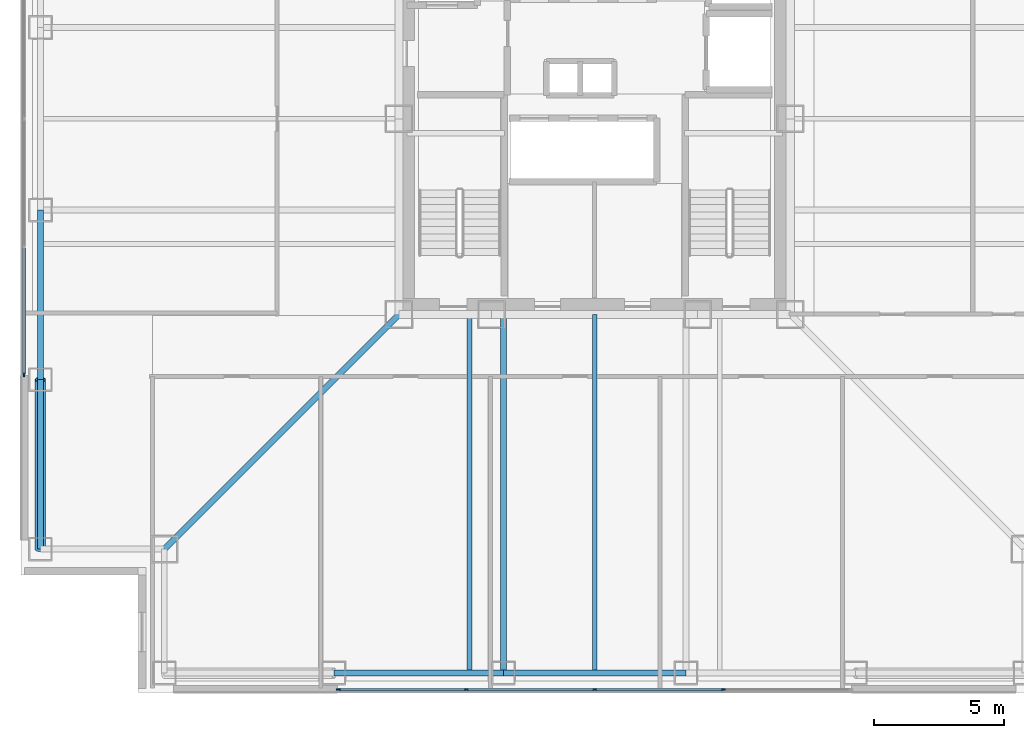
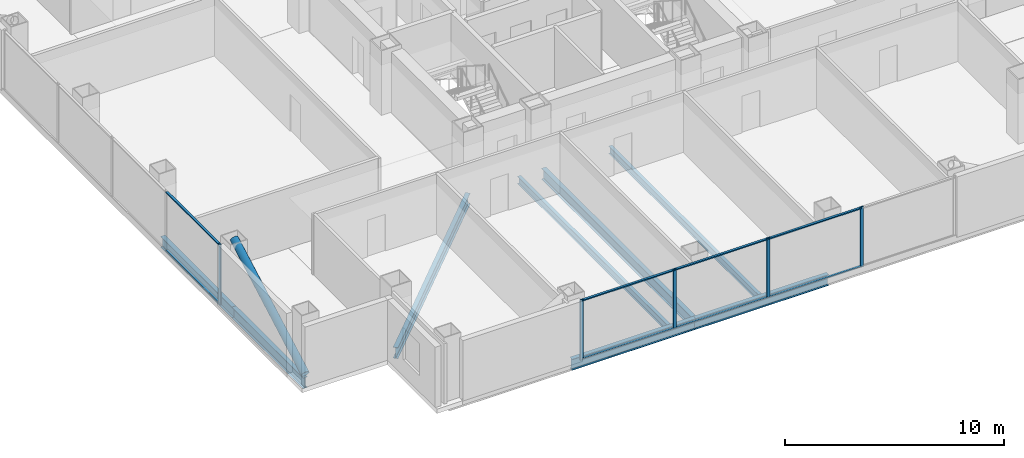
# One storey, part 2 of 13: 14 members, 8 beams, 2 elements without a shape of their own.
"""IFC4 building model written with IfcOpenShell, lengths in metres."""

from ifc_helpers import new_model, si_unit, direction, frame, origin, origin_2d, place, context, subcontext, project, spatial, rectangle, hollow_circle, i_section, extrude, material, layer, layer_set, material_profile, profile_set, type_object, element, aggregate, save


model = new_model("IFC4")

# Units and contexts
model_context = context("Model", 3, precision=1e-05, world=origin(), true_north=direction((0.0, 1.0)))
body_context = subcontext(model_context, "Body", "Model", "MODEL_VIEW")
ifc_project = project(units=[si_unit("LENGTHUNIT", "METRE"), si_unit("AREAUNIT", "SQUARE_METRE"), si_unit("VOLUMEUNIT", "CUBIC_METRE"), si_unit("PLANEANGLEUNIT", "RADIAN"), si_unit("MASSUNIT", "GRAM", prefix="KILO")], contexts=[model_context])

# Site, building, storey
site_placement = place(None, origin())
site = spatial("IfcSite", under=ifc_project, at=site_placement, CompositionType="ELEMENT")
building_placement = place(site_placement, origin())
building = spatial("IfcBuilding", under=site, at=building_placement, Name="Trevonay Congress Spire", CompositionType="ELEMENT")
storey_placement = place(building_placement, frame((0.0, 0.0, 112.0)))
storey = spatial("IfcBuildingStorey", under=building, at=storey_placement, Name="L28", CompositionType="ELEMENT", Elevation=112.0)

# Beams
ifc_material_1 = material(Name="Steel ASTM A572 Grade 50", Category="steel")
ifc_material_profile_1 = material_profile(ifc_material_1, i_section(OverallWidth=0.22998046875, OverallDepth=0.616943359375, WebThickness=0.01318359375, FlangeThickness=0.022216796875, FilletRadius=0.01611328125, at=origin_2d()), Name="W610x140")
ifc_profile_set_1 = profile_set([ifc_material_profile_1], Name="Steel ASTM A572 Grade 50")
beam_type_1 = type_object("IfcBeamType", Name="BM-GIRD-W610X140", PredefinedType="BEAM", material=ifc_profile_set_1)
beam_1_placement = place(storey_placement, frame((-7.5, -7.5, -0.548583984375), z_axis=(-0.707106781187, -0.707106781187, 0.0), x_axis=(0.707106781187, -0.707106781187, 0.0)))
element("IfcBeam", 1, at=beam_1_placement, inside=storey, type_object=beam_type_1, Name="L28 structural beam BM-L28-CDSW", PredefinedType="BEAM", context=body_context, shape_type="SweptSolid", body=[
    extrude(i_section(OverallWidth=0.22998046875, OverallDepth=0.616943359375, WebThickness=0.01318359375, FlangeThickness=0.022216796875, FilletRadius=0.01611328125, at=origin_2d()), origin(), (0.0, 0.0, 1.0), 12.72802734375),
])
beam_2_placement = place(storey_placement, frame((-3.5, -7.5, -0.548583984375), z_axis=(0.0, -1.0, 0.0), x_axis=(1.0, 0.0, 0.0)))
element("IfcBeam", 2, at=beam_2_placement, inside=storey, type_object=beam_type_1, Name="L28 structural beam BM-L28-GS-M", PredefinedType="BEAM", context=body_context, shape_type="SweptSolid", body=[
    extrude(i_section(OverallWidth=0.22998046875, OverallDepth=0.616943359375, WebThickness=0.01318359375, FlangeThickness=0.022216796875, FilletRadius=0.01611328125, at=origin_2d()), origin(), (0.0, 0.0, 1.0), 13.75),
])
ifc_material_profile_2 = material_profile(ifc_material_1, i_section(OverallWidth=0.22802734375, OverallDepth=0.60791015625, WebThickness=0.01123046875, FlangeThickness=0.017333984375, FilletRadius=0.01611328125, at=origin_2d()), Name="W610x113")
ifc_profile_set_2 = profile_set([ifc_material_profile_2], Name="Steel ASTM A572 Grade 50")
beam_type_2 = type_object("IfcBeamType", Name="BM-RING-W610X113", PredefinedType="BEAM", material=ifc_profile_set_2)
for number, where, z_axis, x_axis, name in (
    (3, (-21.25, -16.5, -0.5439453125), (0.0, 1.0, 0.0), (-1.0, 0.0, 0.0), "L28 structural beam BM-L28-PW1"),
    (4, (-10.0, -21.25, -0.5439453125), (1.0, 0.0, 0.0), (0.0, 1.0, 0.0), "L28 structural beam BM-L28-PS2"),
    (5, (-21.25, -10.0, -0.5439453125), (0.0, 1.0, 0.0), (-1.0, 0.0, 0.0), "L28 structural beam BM-L28-PW2"),
):
    element("IfcBeam", number, at=place(storey_placement, frame(where, z_axis=z_axis, x_axis=x_axis)), inside=storey, type_object=beam_type_2, Name=name, PredefinedType="BEAM", context=body_context, shape_type="SweptSolid", body=[
        extrude(i_section(OverallWidth=0.22802734375, OverallDepth=0.60791015625, WebThickness=0.01123046875, FlangeThickness=0.017333984375, FilletRadius=0.01611328125, at=origin_2d()), origin(), (0.0, 0.0, 1.0), 6.5),
    ])
beam_3_placement = place(storey_placement, frame((-3.5, -21.25, -0.5439453125), z_axis=(1.0, 0.0, 0.0), x_axis=(0.0, 1.0, 0.0)))
element("IfcBeam", 6, at=beam_3_placement, inside=storey, type_object=beam_type_2, Name="L28 structural beam BM-L28-PS3", PredefinedType="BEAM", context=body_context, shape_type="SweptSolid", body=[
    extrude(i_section(OverallWidth=0.22802734375, OverallDepth=0.60791015625, WebThickness=0.01123046875, FlangeThickness=0.017333984375, FilletRadius=0.01611328125, at=origin_2d()), origin(), (0.0, 0.0, 1.0), 7.0),
])

# Curtain wall, members
ifc_material_2 = material(Name="Pale Anodised Aluminium EN AW-6063-T6", Category="aluminium")
ifc_layer = layer(ifc_material_2, 0.175048828125, Name="Pale Anodised Aluminium EN AW-6063-T6")
ifc_layer_set = layer_set([ifc_layer], Name="Pale Anodised Aluminium EN AW-6063-T6")
curtain_wall_type = type_object("IfcCurtainWallType", Name="CW-SYS03-CONGRESS-PALE-METAL", PredefinedType="NOTDEFINED", material=ifc_layer_set)
curtain_wall_1_placement = place(storey_placement, origin())
curtain_wall_1 = element("IfcCurtainWall", 7, at=curtain_wall_1_placement, inside=storey, type_object=curtain_wall_type, Name="L28 S unitised curtain wall", PredefinedType="NOTDEFINED")
ifc_material_profile_3 = material_profile(ifc_material_2, rectangle(XDim=0.06005859375, YDim=0.159912109375, at=origin_2d()), Name="CW-MULLION-160-ALUMINIUM")
ifc_profile_set_3 = profile_set([ifc_material_profile_3], Name="Pale Anodised Aluminium EN AW-6063-T6")
member_type_1 = type_object("IfcMemberType", Name="CW-MULLION-160-ALUMINIUM", PredefinedType="MULLION", material=ifc_profile_set_3)
member_1_placement = place(storey_placement, frame((-9.820068359375, -21.8798828125, 0.0), z_axis=(0.0, 0.0, 1.0), x_axis=(0.0, 1.0, 0.0)))
member_1 = element("IfcMember", 8, at=member_1_placement, type_object=member_type_1, Name="CW03 mullion 1", PredefinedType="MULLION", context=body_context, shape_type="SweptSolid", body=[
    extrude(rectangle(XDim=0.06005859375, YDim=0.159912109375, at=origin_2d()), origin(), (0.0, 0.0, 1.0), 3.360107421875),
])
member_2_placement = place(storey_placement, frame((-4.925048828125, -21.8798828125, 0.0), z_axis=(0.0, 0.0, 1.0), x_axis=(0.0, 1.0, 0.0)))
member_2 = element("IfcMember", 9, at=member_2_placement, type_object=member_type_1, Name="CW03 mullion 2", PredefinedType="MULLION", context=body_context, shape_type="SweptSolid", body=[
    extrude(rectangle(XDim=0.06005859375, YDim=0.159912109375, at=origin_2d()), origin(), (0.0, 0.0, 1.0), 3.360107421875),
])
member_3_placement = place(storey_placement, frame((0.0, -21.8798828125, 0.0), z_axis=(0.0, 0.0, 1.0), x_axis=(0.0, 1.0, 0.0)))
member_3 = element("IfcMember", 10, at=member_3_placement, type_object=member_type_1, Name="CW03 mullion 3", PredefinedType="MULLION", context=body_context, shape_type="SweptSolid", body=[
    extrude(rectangle(XDim=0.06005859375, YDim=0.159912109375, at=origin_2d()), origin(), (0.0, 0.0, 1.0), 3.360107421875),
])
member_4_placement = place(storey_placement, frame((4.925048828125, -21.8798828125, 0.0), z_axis=(0.0, 0.0, 1.0), x_axis=(0.0, 1.0, 0.0)))
member_4 = element("IfcMember", 11, at=member_4_placement, type_object=member_type_1, Name="CW03 mullion 4", PredefinedType="MULLION", context=body_context, shape_type="SweptSolid", body=[
    extrude(rectangle(XDim=0.06005859375, YDim=0.159912109375, at=origin_2d()), origin(), (0.0, 0.0, 1.0), 3.360107421875),
])

# Curtain wall, member
curtain_wall_2_placement = place(storey_placement, origin())
curtain_wall_2 = element("IfcCurtainWall", 12, at=curtain_wall_2_placement, inside=storey, type_object=curtain_wall_type, Name="L28 W unitised curtain wall", PredefinedType="NOTDEFINED")
member_5_placement = place(storey_placement, frame((-21.8798828125, -9.820068359375, 0.0), z_axis=(0.0, 0.0, 1.0), x_axis=(-1.0, 0.0, 0.0)))
member_5 = element("IfcMember", 13, at=member_5_placement, type_object=member_type_1, Name="CW03 mullion 1", PredefinedType="MULLION", context=body_context, shape_type="SweptSolid", body=[
    extrude(rectangle(XDim=0.06005859375, YDim=0.159912109375, at=origin_2d()), origin(), (0.0, 0.0, 1.0), 3.360107421875),
])

# Member
ifc_material_profile_4 = material_profile(ifc_material_2, rectangle(XDim=0.1201171875, YDim=0.06005859375, at=origin_2d()), Name="CW-TRANSOM-120-ALUMINIUM")
ifc_profile_set_4 = profile_set([ifc_material_profile_4], Name="Pale Anodised Aluminium EN AW-6063-T6")
member_type_2 = type_object("IfcMemberType", Name="CW-TRANSOM-120-ALUMINIUM", PredefinedType="USERDEFINED", material=ifc_profile_set_4)
member_6_placement = place(storey_placement, frame((-9.7900390625, -21.8798828125, 0.06005859375), z_axis=(1.0, 0.0, 0.0), x_axis=(0.0, 1.0, 0.0)))
member_6 = element("IfcMember", 14, at=member_6_placement, type_object=member_type_2, Name="CW03 transom 1.1", ObjectType="TRANSOM", PredefinedType="USERDEFINED", context=body_context, shape_type="SweptSolid", body=[
    extrude(rectangle(XDim=0.1201171875, YDim=0.06005859375, at=origin_2d()), origin(), (0.0, 0.0, 1.0), 4.8349609375),
])

member_7_placement = place(storey_placement, frame((-9.7900390625, -21.8798828125, 3.300048828125), z_axis=(1.0, 0.0, 0.0), x_axis=(0.0, 1.0, 0.0)))
member_7 = element("IfcMember", 15, at=member_7_placement, type_object=member_type_2, Name="CW03 transom 1.2", ObjectType="TRANSOM", PredefinedType="USERDEFINED", context=body_context, shape_type="SweptSolid", body=[
    extrude(rectangle(XDim=0.1201171875, YDim=0.06005859375, at=origin_2d()), origin(), (0.0, 0.0, 1.0), 4.8349609375),
])

member_8_placement = place(storey_placement, frame((-4.89501953125, -21.8798828125, 0.06005859375), z_axis=(1.0, 0.0, 0.0), x_axis=(0.0, 1.0, 0.0)))
member_8 = element("IfcMember", 16, at=member_8_placement, type_object=member_type_2, Name="CW03 transom 2.1", ObjectType="TRANSOM", PredefinedType="USERDEFINED", context=body_context, shape_type="SweptSolid", body=[
    extrude(rectangle(XDim=0.1201171875, YDim=0.06005859375, at=origin_2d()), origin(), (0.0, 0.0, 1.0), 4.864990234375),
])

member_9_placement = place(storey_placement, frame((-4.89501953125, -21.8798828125, 3.300048828125), z_axis=(1.0, 0.0, 0.0), x_axis=(0.0, 1.0, 0.0)))
member_9 = element("IfcMember", 17, at=member_9_placement, type_object=member_type_2, Name="CW03 transom 2.2", ObjectType="TRANSOM", PredefinedType="USERDEFINED", context=body_context, shape_type="SweptSolid", body=[
    extrude(rectangle(XDim=0.1201171875, YDim=0.06005859375, at=origin_2d()), origin(), (0.0, 0.0, 1.0), 4.864990234375),
])

member_10_placement = place(storey_placement, frame((0.030029296875, -21.8798828125, 0.06005859375), z_axis=(1.0, 0.0, 0.0), x_axis=(0.0, 1.0, 0.0)))
member_10 = element("IfcMember", 18, at=member_10_placement, type_object=member_type_2, Name="CW03 transom 3.1", ObjectType="TRANSOM", PredefinedType="USERDEFINED", context=body_context, shape_type="SweptSolid", body=[
    extrude(rectangle(XDim=0.1201171875, YDim=0.06005859375, at=origin_2d()), origin(), (0.0, 0.0, 1.0), 4.864990234375),
])

member_11_placement = place(storey_placement, frame((0.030029296875, -21.8798828125, 3.300048828125), z_axis=(1.0, 0.0, 0.0), x_axis=(0.0, 1.0, 0.0)))
member_11 = element("IfcMember", 19, at=member_11_placement, type_object=member_type_2, Name="CW03 transom 3.2", ObjectType="TRANSOM", PredefinedType="USERDEFINED", context=body_context, shape_type="SweptSolid", body=[
    extrude(rectangle(XDim=0.1201171875, YDim=0.06005859375, at=origin_2d()), origin(), (0.0, 0.0, 1.0), 4.864990234375),
])

aggregate(curtain_wall_1, [member_1, member_2, member_3, member_4, member_6, member_7, member_8, member_9, member_10, member_11])

member_12_placement = place(storey_placement, frame((-21.8798828125, -9.7900390625, 0.06005859375), z_axis=(0.0, 1.0, 0.0), x_axis=(-1.0, 0.0, 0.0)))
member_12 = element("IfcMember", 20, at=member_12_placement, type_object=member_type_2, Name="CW03 transom 1.1", ObjectType="TRANSOM", PredefinedType="USERDEFINED", context=body_context, shape_type="SweptSolid", body=[
    extrude(rectangle(XDim=0.1201171875, YDim=0.06005859375, at=origin_2d()), origin(), (0.0, 0.0, 1.0), 4.8349609375),
])

member_13_placement = place(storey_placement, frame((-21.8798828125, -9.7900390625, 3.300048828125), z_axis=(0.0, 1.0, 0.0), x_axis=(-1.0, 0.0, 0.0)))
member_13 = element("IfcMember", 21, at=member_13_placement, type_object=member_type_2, Name="CW03 transom 1.2", ObjectType="TRANSOM", PredefinedType="USERDEFINED", context=body_context, shape_type="SweptSolid", body=[
    extrude(rectangle(XDim=0.1201171875, YDim=0.06005859375, at=origin_2d()), origin(), (0.0, 0.0, 1.0), 4.8349609375),
])

aggregate(curtain_wall_2, [member_5, member_12, member_13])

# Beams
ifc_material_profile_5 = material_profile(ifc_material_1, i_section(OverallWidth=0.177978515625, OverallDepth=0.406982421875, WebThickness=0.0078125, FlangeThickness=0.0126953125, FilletRadius=0.012939453125, at=origin_2d()), Name="W410x60")
ifc_profile_set_5 = profile_set([ifc_material_profile_5], Name="Steel ASTM A572 Grade 50")
beam_type_3 = type_object("IfcBeamType", Name="JS-COMP-W410X60", PredefinedType="JOIST", material=ifc_profile_set_5)
for number, where, z_axis, x_axis, name in (
    (22, (-4.800048828125, -21.25, -0.443603515625), (0.0, 1.0, 0.0), (-1.0, 0.0, 0.0), "L28 structural beam JS-L28-NS-S1"),
    (23, (0.0, -21.25, -0.443603515625), (0.0, 1.0, 0.0), (-1.0, 0.0, 0.0), "L28 structural beam JS-L28-NS-S2"),
):
    element("IfcBeam", number, at=place(storey_placement, frame(where, z_axis=z_axis, x_axis=x_axis)), inside=storey, type_object=beam_type_3, Name=name, PredefinedType="JOIST", context=body_context, shape_type="SweptSolid", body=[
        extrude(i_section(OverallWidth=0.177978515625, OverallDepth=0.406982421875, WebThickness=0.0078125, FlangeThickness=0.0126953125, FilletRadius=0.012939453125, at=origin_2d()), origin(), (0.0, 0.0, 1.0), 13.75),
    ])

# Member
ifc_material_3 = material(Name="Steel ASTM A500 Grade C", Category="steel")
ifc_material_profile_6 = material_profile(ifc_material_3, hollow_circle(Radius=0.203125, WallThickness=0.02001953125, at=origin_2d()), Name="CHS 406.4x20")
ifc_profile_set_6 = profile_set([ifc_material_profile_6], Name="Steel ASTM A500 Grade C")
member_type_3 = type_object("IfcMemberType", Name="MBR-TUBE-CHS406", PredefinedType="BRACE", material=ifc_profile_set_6)
member_14_placement = place(storey_placement, frame((-21.25, -16.5, -0.050048828125), z_axis=(0.0, 0.874785785626, 0.484509885623), x_axis=(-1.0, 0.0, 0.0)))
element("IfcMember", 24, at=member_14_placement, inside=storey, type_object=member_type_3, Name="L28 perimeter braced-tube diagonal W0", PredefinedType="BRACE", context=body_context, shape_type="SweptSolid", body=[
    extrude(hollow_circle(Radius=0.203125, WallThickness=0.02001953125, at=origin_2d()), origin(), (0.0, 0.0, 1.0), 7.430419921875),
])

save(model, "model.ifc")
